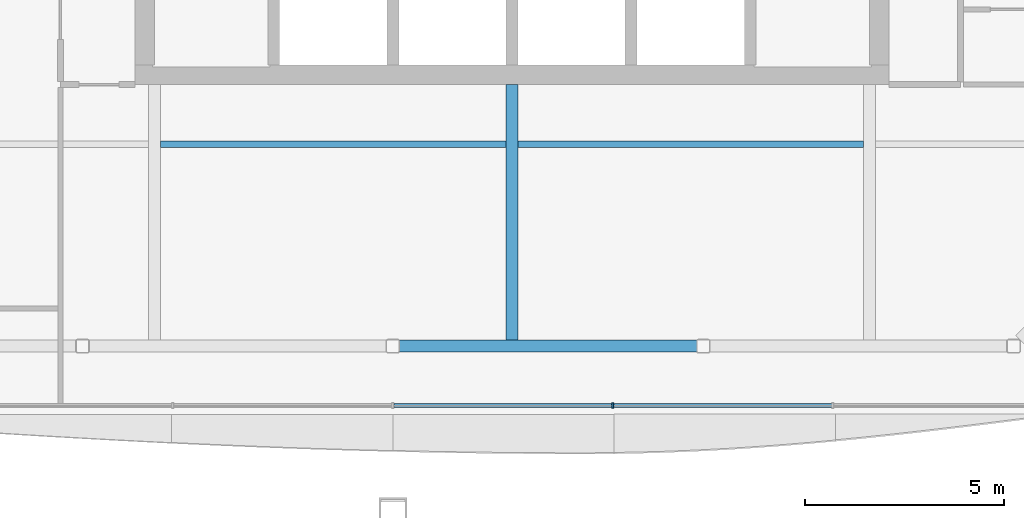
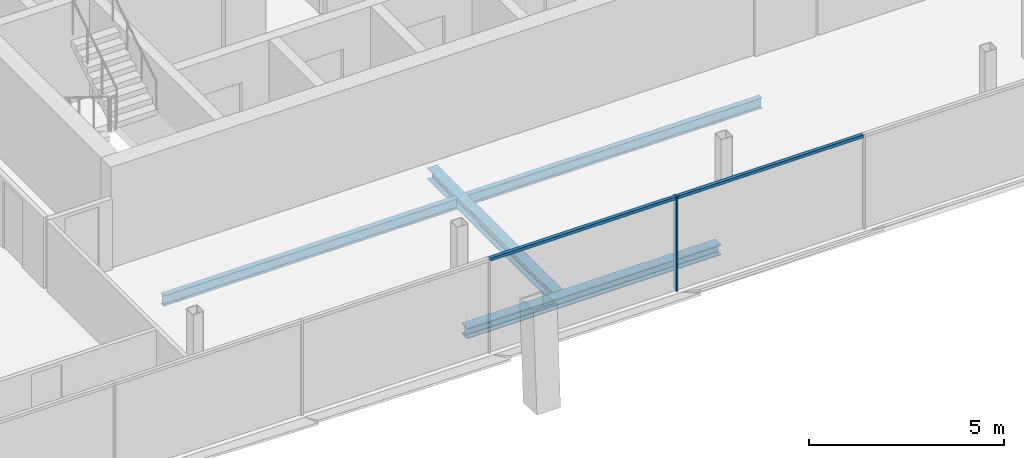
# One storey, part 5 of 20: 4 beams, 3 members, 1 element without a shape of its own.
"""IFC4 building model written with IfcOpenShell, lengths in metres."""

from ifc_helpers import new_model, si_unit, direction, frame, origin, origin_2d, place, context, subcontext, project, spatial, rectangle, i_section, extrude, material, material_profile, profile_set, type_object, element, aggregate, save


model = new_model("IFC4")

# Units and contexts
model_context = context("Model", 3, precision=1e-05, world=origin(), true_north=direction((0.0, 1.0)))
body_context = subcontext(model_context, "Body", "Model", "MODEL_VIEW")
ifc_project = project(units=[si_unit("LENGTHUNIT", "METRE"), si_unit("AREAUNIT", "SQUARE_METRE"), si_unit("VOLUMEUNIT", "CUBIC_METRE"), si_unit("PLANEANGLEUNIT", "RADIAN"), si_unit("MASSUNIT", "GRAM", prefix="KILO")], contexts=[model_context])

# Site, building, storey
site_placement = place(None, origin())
site = spatial("IfcSite", under=ifc_project, at=site_placement, CompositionType="ELEMENT")
building_placement = place(site_placement, origin())
building = spatial("IfcBuilding", under=site, at=building_placement, Name="Tskaro Facet Tower", CompositionType="ELEMENT")
storey_placement = place(building_placement, frame((0.0, 0.0, 197.39990234375)))
storey = spatial("IfcBuildingStorey", under=building, at=storey_placement, Name="L50", CompositionType="ELEMENT", Elevation=197.39990234375)

# Curtain wall, members
ifc_material_1 = material(Name="Bronze anodised aluminium 6063-T6", Category="aluminium")
curtain_wall_type = type_object("IfcCurtainWallType", Name="Bronze residence curtain wall (FW3)", PredefinedType="NOTDEFINED", material=ifc_material_1)
curtain_wall_placement = place(storey_placement, origin())
curtain_wall = element("IfcCurtainWall", 1, at=curtain_wall_placement, inside=storey, type_object=curtain_wall_type, Name="FW3 south facet L50", PredefinedType="NOTDEFINED")
ifc_material_profile_1 = material_profile(ifc_material_1, rectangle(XDim=0.050048828125, YDim=0.139892578125, at=origin_2d()), Name="Mullion 50x140")
ifc_profile_set_1 = profile_set([ifc_material_profile_1], Name="Bronze anodised aluminium 6063-T6")
member_type_1 = type_object("IfcMemberType", Name="FW3 bronze mullion 50x140", PredefinedType="MULLION", material=ifc_profile_set_1)
member_1_placement = place(storey_placement, frame((2.539306640625, -20.080078125, 0.0), z_axis=(0.0, 0.0, 1.0), x_axis=(1.0, 0.0, 0.0)))
member_1 = element("IfcMember", 2, at=member_1_placement, type_object=member_type_1, Name="FW3 south mullion 4", PredefinedType="MULLION", context=body_context, shape_type="SweptSolid", body=[
    extrude(rectangle(XDim=0.050048828125, YDim=0.139892578125, at=origin_2d()), origin(), (0.0, 0.0, 1.0), 2.9501953125),
])
ifc_material_profile_2 = material_profile(ifc_material_1, rectangle(XDim=0.10009765625, YDim=0.090087890625, at=origin_2d()), Name="Transom 100x90")
ifc_profile_set_2 = profile_set([ifc_material_profile_2], Name="Bronze anodised aluminium 6063-T6")
member_type_2 = type_object("IfcMemberType", Name="FW3 bronze transom 100x90", PredefinedType="USERDEFINED", material=ifc_profile_set_2)
member_2_placement = place(storey_placement, frame((-2.97509765625, -20.080078125, 2.905029296875), z_axis=(1.0, 0.0, 0.0), x_axis=(0.0, 1.0, 0.0)))
member_2 = element("IfcMember", 3, at=member_2_placement, type_object=member_type_2, Name="FW3 south transom 4.1", ObjectType="TRANSOM", PredefinedType="USERDEFINED", context=body_context, shape_type="SweptSolid", body=[
    extrude(rectangle(XDim=0.10009765625, YDim=0.090087890625, at=origin_2d()), origin(), (0.0, 0.0, 1.0), 5.489501953125),
])
member_3_placement = place(storey_placement, frame((2.564453125, -20.080078125, 2.905029296875), z_axis=(1.0, 0.0, 0.0), x_axis=(0.0, 1.0, 0.0)))
member_3 = element("IfcMember", 4, at=member_3_placement, type_object=member_type_2, Name="FW3 south transom 5.1", ObjectType="TRANSOM", PredefinedType="USERDEFINED", context=body_context, shape_type="SweptSolid", body=[
    extrude(rectangle(XDim=0.10009765625, YDim=0.090087890625, at=origin_2d()), origin(), (0.0, 0.0, 1.0), 5.4892578125),
])
aggregate(curtain_wall, [member_1, member_2, member_3])

# Beams
ifc_material_2 = material(Name="Steel S355J2", Category="steel")
ifc_material_profile_3 = material_profile(ifc_material_2, i_section(OverallWidth=0.300048828125, OverallDepth=0.320068359375, WebThickness=0.011474609375, FlangeThickness=0.0205078125, FilletRadius=0.027099609375, at=origin_2d()), Name="HE 320 B")
ifc_profile_set_3 = profile_set([ifc_material_profile_3], Name="Steel S355J2")
beam_type_1 = type_object("IfcBeamType", Name="HE 320 B ring beam", PredefinedType="BEAM", material=ifc_profile_set_3)
beam_1_placement = place(storey_placement, frame((-2.844970703125, -18.5830078125, -0.2998046875), z_axis=(1.0, 0.0, 0.0), x_axis=(0.0, 1.0, 0.0)))
element("IfcBeam", 5, at=beam_1_placement, inside=storey, type_object=beam_type_1, Name="HE 320 B EB3-4", PredefinedType="BEAM", context=body_context, shape_type="SweptSolid", body=[
    extrude(i_section(OverallWidth=0.300048828125, OverallDepth=0.320068359375, WebThickness=0.011474609375, FlangeThickness=0.0205078125, FilletRadius=0.027099609375, at=origin_2d()), origin(), (0.0, 0.0, 1.0), 7.507080078125),
])
ifc_material_profile_4 = material_profile(ifc_material_2, i_section(OverallWidth=0.300048828125, OverallDepth=0.35009765625, WebThickness=0.010009765625, FlangeThickness=0.017578125, FilletRadius=0.027099609375, at=origin_2d()), Name="HE 360 A")
ifc_profile_set_4 = profile_set([ifc_material_profile_4], Name="Steel S355J2")
beam_type_2 = type_object("IfcBeamType", Name="HE 360 A girder", PredefinedType="BEAM", material=ifc_profile_set_4)
beam_2_placement = place(storey_placement, frame((0.0, -18.43310546875, -0.31494140625), z_axis=(0.0, 1.0, 0.0), x_axis=(-1.0, 0.0, 0.0)))
element("IfcBeam", 6, at=beam_2_placement, inside=storey, type_object=beam_type_2, Name="HE 360 A GB4-1-4", PredefinedType="BEAM", context=body_context, shape_type="SweptSolid", body=[
    extrude(i_section(OverallWidth=0.300048828125, OverallDepth=0.35009765625, WebThickness=0.010009765625, FlangeThickness=0.017578125, FilletRadius=0.027099609375, at=origin_2d()), origin(), (0.0, 0.0, 1.0), 6.43310546875),
])
ifc_material_profile_5 = material_profile(ifc_material_2, i_section(OverallWidth=0.159912109375, OverallDepth=0.330078125, WebThickness=0.007568359375, FlangeThickness=0.011474609375, FilletRadius=0.01806640625, at=origin_2d()), Name="IPE 330")
ifc_profile_set_5 = profile_set([ifc_material_profile_5], Name="Steel S355J2")
beam_type_3 = type_object("IfcBeamType", Name="IPE 330 secondary beam", PredefinedType="BEAM", material=ifc_profile_set_5)
for number, where, z_axis, x_axis, name in (
    (7, (-8.85009765625, -13.5, -0.304931640625), (1.0, 0.0, 0.0), (0.0, 1.0, 0.0), "IPE 330 SB2a-3-4"),
    (8, (0.14990234375, -13.5, -0.304931640625), (1.0, 0.0, 0.0), (0.0, 1.0, 0.0), "IPE 330 SB2a-4-4"),
):
    element("IfcBeam", number, at=place(storey_placement, frame(where, z_axis=z_axis, x_axis=x_axis)), inside=storey, type_object=beam_type_3, Name=name, PredefinedType="BEAM", context=body_context, shape_type="SweptSolid", body=[
        extrude(i_section(OverallWidth=0.159912109375, OverallDepth=0.330078125, WebThickness=0.007568359375, FlangeThickness=0.011474609375, FilletRadius=0.01806640625, at=origin_2d()), origin(), (0.0, 0.0, 1.0), 8.7001953125),
    ])

save(model, "model.ifc")
